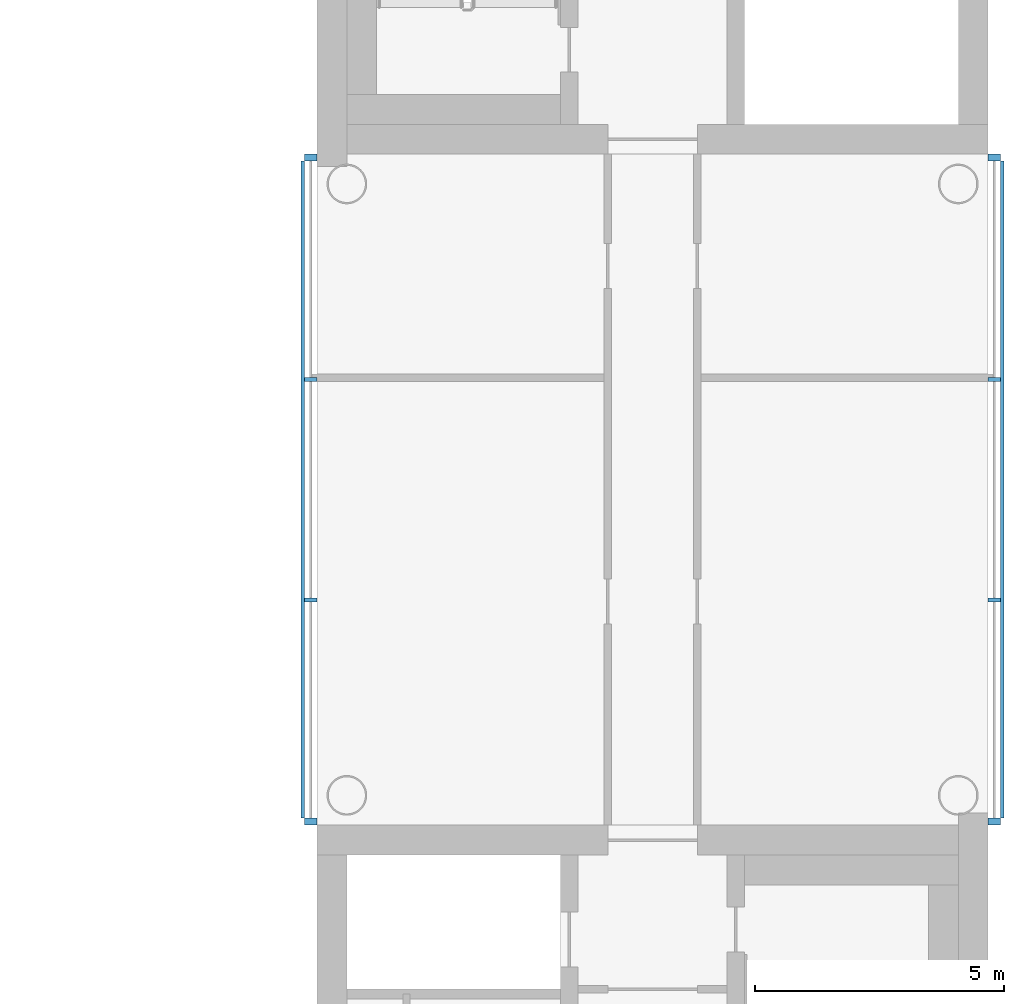
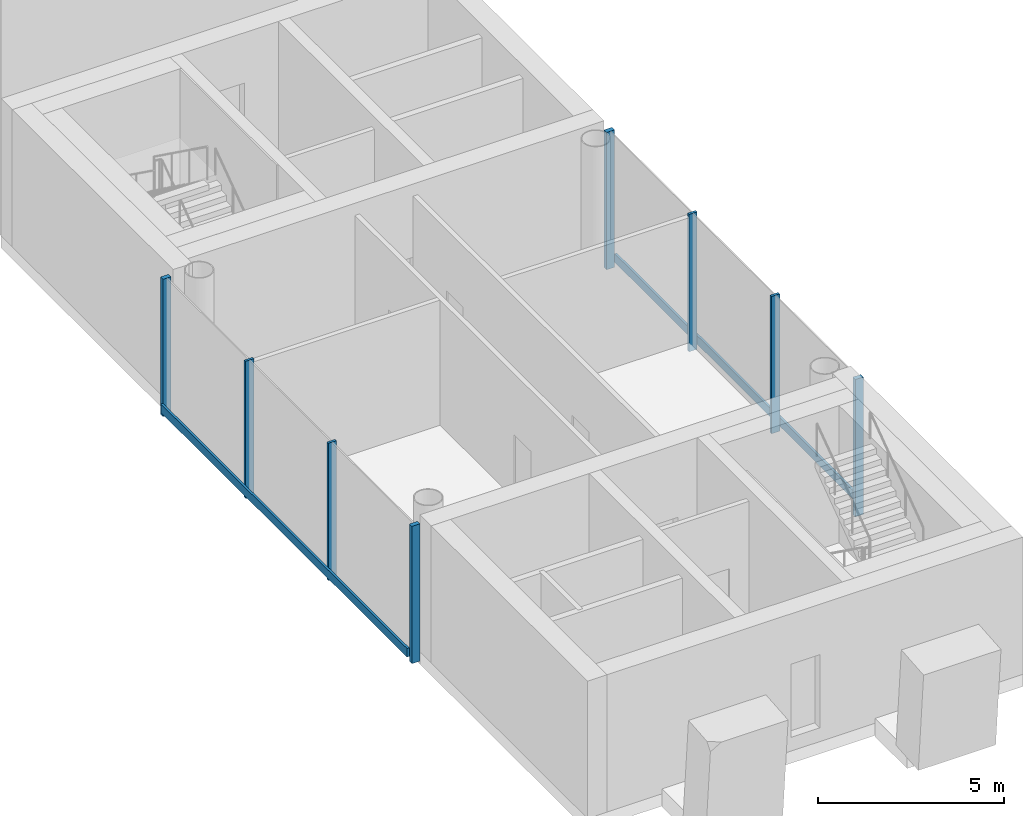
# One storey, part 3 of 11: 10 members, 2 elements without a shape of their own.
"""IFC4 building model written with IfcOpenShell, lengths in metres."""

from ifc_helpers import new_model, si_unit, direction, frame, origin, origin_2d, place, context, subcontext, project, spatial, rectangle, extrude, material, layer, layer_set, material_profile, profile_set, type_object, element, aggregate, save


model = new_model("IFC4")

# Units and contexts
model_context = context("Model", 3, precision=1e-05, world=origin(), true_north=direction((0.0, 1.0)))
body_context = subcontext(model_context, "Body", "Model", "MODEL_VIEW")
ifc_project = project(units=[si_unit("LENGTHUNIT", "METRE"), si_unit("AREAUNIT", "SQUARE_METRE"), si_unit("VOLUMEUNIT", "CUBIC_METRE"), si_unit("PLANEANGLEUNIT", "RADIAN"), si_unit("MASSUNIT", "GRAM", prefix="KILO")], contexts=[model_context])

# Site, building, storey
site_placement = place(None, origin())
site = spatial("IfcSite", under=ifc_project, at=site_placement, CompositionType="ELEMENT")
building_placement = place(site_placement, origin())
building = spatial("IfcBuilding", under=site, at=building_placement, Name="Ipe Terrace Towers", CompositionType="ELEMENT")
storey_placement = place(building_placement, frame((0.0, 0.0, 251.39990234375)))
storey = spatial("IfcBuildingStorey", under=building, at=storey_placement, Name="L69", CompositionType="ELEMENT", Elevation=251.39990234375)

# Curtain wall, members
ifc_material_1 = material(Name="Aluminium alloy 6063-T6", Category="aluminium")
ifc_layer = layer(ifc_material_1, 0.320068359375)
ifc_layer_set = layer_set([ifc_layer], Name="LANTERN CURTAIN WALL")
curtain_wall_type = type_object("IfcCurtainWallType", Name="LANTERN CURTAIN WALL", PredefinedType="NOTDEFINED", material=ifc_layer_set)
curtain_wall_1_placement = place(storey_placement, origin())
curtain_wall_1 = element("IfcCurtainWall", 1, at=curtain_wall_1_placement, inside=storey, type_object=curtain_wall_type, Name="T2-CW-L69-00b curtain wall", PredefinedType="NOTDEFINED")
ifc_material_2 = material(Name="Aluminium alloy 6063-T6", Category="aluminium")
ifc_material_profile_1 = material_profile(ifc_material_2, rectangle(XDim=0.25, YDim=0.139892578125, at=origin_2d()), Name="LANTERN CORNER MULLION 250 x 140")
ifc_profile_set_1 = profile_set([ifc_material_profile_1], Name="Aluminium alloy 6063-T6")
member_type_1 = type_object("IfcMemberType", Name="LANTERN CORNER MULLION 250 x 140", PredefinedType="MULLION", material=ifc_profile_set_1)
member_1_placement = place(storey_placement, frame((42.875, -6.678955078125, -0.2998046875), z_axis=(0.0, 0.0, 1.0), x_axis=(1.0, 0.0, 0.0)))
member_1 = element("IfcMember", 2, at=member_1_placement, type_object=member_type_1, Name="T2-CW-L69-00b mullion 1", PredefinedType="MULLION", context=body_context, shape_type="SweptSolid", body=[
    extrude(rectangle(XDim=0.25, YDim=0.139892578125, at=origin_2d()), origin(), (0.0, 0.0, 1.0), 4.5),
])
member_2_placement = place(storey_placement, frame((42.875, 6.678955078125, -0.2998046875), z_axis=(0.0, 0.0, 1.0), x_axis=(1.0, 0.0, 0.0)))
member_2 = element("IfcMember", 3, at=member_2_placement, type_object=member_type_1, Name="T2-CW-L69-00b mullion 4", PredefinedType="MULLION", context=body_context, shape_type="SweptSolid", body=[
    extrude(rectangle(XDim=0.25, YDim=0.139892578125, at=origin_2d()), origin(), (0.0, 0.0, 1.0), 4.5),
])

curtain_wall_2_placement = place(storey_placement, origin())
curtain_wall_2 = element("IfcCurtainWall", 4, at=curtain_wall_2_placement, inside=storey, type_object=curtain_wall_type, Name="T2-CW-L69-02b curtain wall", PredefinedType="NOTDEFINED")
member_3_placement = place(storey_placement, frame((29.125, 6.678955078125, -0.2998046875), z_axis=(0.0, 0.0, 1.0), x_axis=(-1.0, 0.0, 0.0)))
member_3 = element("IfcMember", 5, at=member_3_placement, type_object=member_type_1, Name="T2-CW-L69-02b mullion 1", PredefinedType="MULLION", context=body_context, shape_type="SweptSolid", body=[
    extrude(rectangle(XDim=0.25, YDim=0.139892578125, at=origin_2d()), origin(), (0.0, 0.0, 1.0), 4.5),
])
member_4_placement = place(storey_placement, frame((29.125, -6.678955078125, -0.2998046875), z_axis=(0.0, 0.0, 1.0), x_axis=(-1.0, 0.0, 0.0)))
member_4 = element("IfcMember", 6, at=member_4_placement, type_object=member_type_1, Name="T2-CW-L69-02b mullion 4", PredefinedType="MULLION", context=body_context, shape_type="SweptSolid", body=[
    extrude(rectangle(XDim=0.25, YDim=0.139892578125, at=origin_2d()), origin(), (0.0, 0.0, 1.0), 4.5),
])

# Member
ifc_material_3 = material(Name="Aluminium alloy 6063-T6", Category="aluminium")
ifc_material_profile_2 = material_profile(ifc_material_3, rectangle(XDim=0.25, YDim=0.080078125, at=origin_2d()), Name="LANTERN MULLION 250 x 80")
ifc_profile_set_2 = profile_set([ifc_material_profile_2], Name="Aluminium alloy 6063-T6")
member_type_2 = type_object("IfcMemberType", Name="LANTERN MULLION 250 x 80", PredefinedType="MULLION", material=ifc_profile_set_2)
member_5_placement = place(storey_placement, frame((42.875, -2.21630859375, -0.2998046875), z_axis=(0.0, 0.0, 1.0), x_axis=(1.0, 0.0, 0.0)))
member_5 = element("IfcMember", 7, at=member_5_placement, type_object=member_type_2, Name="T2-CW-L69-00b mullion 2", PredefinedType="MULLION", context=body_context, shape_type="SweptSolid", body=[
    extrude(rectangle(XDim=0.25, YDim=0.080078125, at=origin_2d()), origin(), (0.0, 0.0, 1.0), 4.5),
])

member_6_placement = place(storey_placement, frame((42.875, 2.21630859375, -0.2998046875), z_axis=(0.0, 0.0, 1.0), x_axis=(1.0, 0.0, 0.0)))
member_6 = element("IfcMember", 8, at=member_6_placement, type_object=member_type_2, Name="T2-CW-L69-00b mullion 3", PredefinedType="MULLION", context=body_context, shape_type="SweptSolid", body=[
    extrude(rectangle(XDim=0.25, YDim=0.080078125, at=origin_2d()), origin(), (0.0, 0.0, 1.0), 4.5),
])

member_7_placement = place(storey_placement, frame((29.125, 2.21630859375, -0.2998046875), z_axis=(0.0, 0.0, 1.0), x_axis=(-1.0, 0.0, 0.0)))
member_7 = element("IfcMember", 9, at=member_7_placement, type_object=member_type_2, Name="T2-CW-L69-02b mullion 2", PredefinedType="MULLION", context=body_context, shape_type="SweptSolid", body=[
    extrude(rectangle(XDim=0.25, YDim=0.080078125, at=origin_2d()), origin(), (0.0, 0.0, 1.0), 4.5),
])

member_8_placement = place(storey_placement, frame((29.125, -2.21630859375, -0.2998046875), z_axis=(0.0, 0.0, 1.0), x_axis=(-1.0, 0.0, 0.0)))
member_8 = element("IfcMember", 10, at=member_8_placement, type_object=member_type_2, Name="T2-CW-L69-02b mullion 3", PredefinedType="MULLION", context=body_context, shape_type="SweptSolid", body=[
    extrude(rectangle(XDim=0.25, YDim=0.080078125, at=origin_2d()), origin(), (0.0, 0.0, 1.0), 4.5),
])

ifc_material_4 = material(Name="Aluminium alloy 6063-T6", Category="aluminium")
ifc_material_profile_3 = material_profile(ifc_material_4, rectangle(XDim=0.070068359375, YDim=0.280029296875, at=origin_2d()), Name="LANTERN TRANSOM 70 x 280")
ifc_profile_set_3 = profile_set([ifc_material_profile_3], Name="Aluminium alloy 6063-T6")
member_type_3 = type_object("IfcMemberType", Name="LANTERN TRANSOM 70 x 280", PredefinedType="USERDEFINED", material=ifc_profile_set_3)
member_9_placement = place(storey_placement, frame((43.034912109375, -6.60888671875, 0.0), z_axis=(0.0, 1.0, 0.0), x_axis=(1.0, 0.0, 0.0)))
member_9 = element("IfcMember", 11, at=member_9_placement, type_object=member_type_3, Name="T2-CW-L69-00b transom", ObjectType="TRANSOM", PredefinedType="USERDEFINED", context=body_context, shape_type="SweptSolid", body=[
    extrude(rectangle(XDim=0.070068359375, YDim=0.280029296875, at=origin_2d()), origin(), (0.0, 0.0, 1.0), 13.2177734375),
])

aggregate(curtain_wall_1, [member_1, member_5, member_6, member_2, member_9])

member_10_placement = place(storey_placement, frame((28.965087890625, 6.60888671875, 0.0), z_axis=(0.0, -1.0, 0.0), x_axis=(-1.0, 0.0, 0.0)))
member_10 = element("IfcMember", 12, at=member_10_placement, type_object=member_type_3, Name="T2-CW-L69-02b transom", ObjectType="TRANSOM", PredefinedType="USERDEFINED", context=body_context, shape_type="SweptSolid", body=[
    extrude(rectangle(XDim=0.070068359375, YDim=0.280029296875, at=origin_2d()), origin(), (0.0, 0.0, 1.0), 13.2177734375),
])

aggregate(curtain_wall_2, [member_3, member_7, member_8, member_4, member_10])

save(model, "model.ifc")
